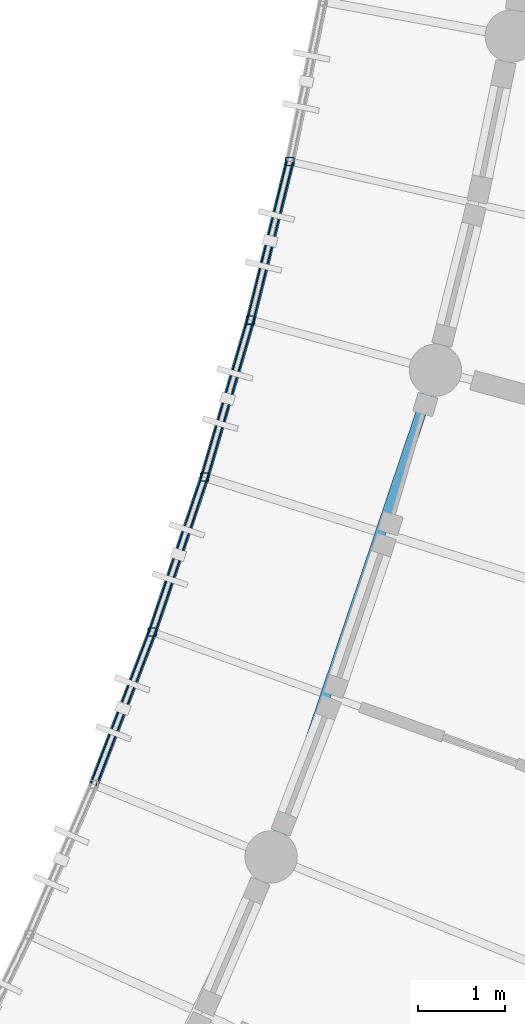
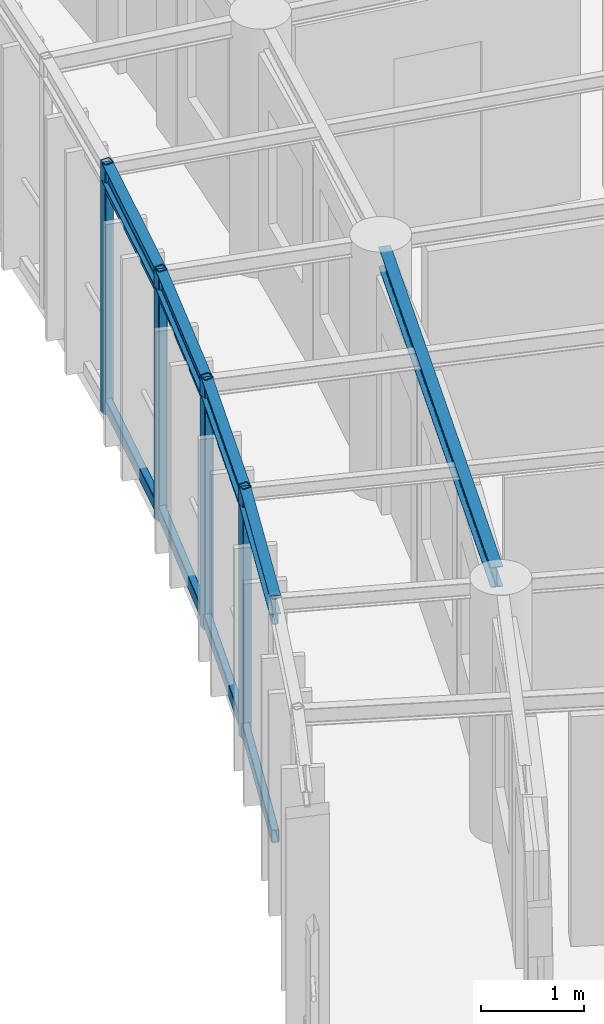
# One storey, part 15 of 101: 12 members, 5 beams.
"""IFC4 building model written with IfcOpenShell, lengths in metres."""

from ifc_helpers import new_model, si_unit, direction, frame, origin, origin_2d, place, context, subcontext, project, spatial, hollow_rectangle, i_section, extrude, material, material_profile, profile_set, type_object, element, save


model = new_model("IFC4")

# Units and contexts
model_context = context("Model", 3, precision=1e-05, world=origin(), true_north=direction((0.0, 1.0)))
body_context = subcontext(model_context, "Body", "Model", "MODEL_VIEW")
ifc_project = project(units=[si_unit("LENGTHUNIT", "METRE"), si_unit("AREAUNIT", "SQUARE_METRE"), si_unit("VOLUMEUNIT", "CUBIC_METRE"), si_unit("PLANEANGLEUNIT", "RADIAN"), si_unit("MASSUNIT", "GRAM", prefix="KILO"), si_unit("POWERUNIT", "WATT"), si_unit("THERMODYNAMICTEMPERATUREUNIT", "KELVIN")], contexts=[model_context])

# Site, building, storey
site_placement = place(None, origin())
site = spatial("IfcSite", under=ifc_project, at=site_placement, CompositionType="ELEMENT")
building_placement = place(site_placement, origin())
building = spatial("IfcBuilding", under=site, at=building_placement, Name="Ruvembo Vaulted Housing Court", CompositionType="ELEMENT")
storey_placement = place(building_placement, frame((0.0, 0.0, 17.300048828125)))
storey = spatial("IfcBuildingStorey", under=building, at=storey_placement, Name="L05", CompositionType="ELEMENT", Elevation=17.300048828125)

# Beams
ifc_material = material(Name="Steel S355J2", Category="steel")
ifc_material_profile_1 = material_profile(ifc_material, i_section(OverallWidth=0.110107421875, OverallDepth=0.219970703125, WebThickness=0.005859375, FlangeThickness=0.00927734375, FilletRadius=0.011962890625, at=origin_2d()), Name="IPE 220")
ifc_profile_set_1 = profile_set([ifc_material_profile_1], Name="Steel S355J2")
beam_type_1 = type_object("IfcBeamType", Name="BM-ST-IPE220", PredefinedType="SPANDREL", material=ifc_profile_set_1)
beam_1_placement = place(storey_placement, frame((44.41259765625, 56.714111328125, 2.822021484375), z_axis=(0.358368836189, 0.933580086146, 0.0), x_axis=(-0.933580086146, 0.358368836189, 0.0)))
element("IfcBeam", 1, at=beam_1_placement, inside=storey, type_object=beam_type_1, Name="Scoop SC1 L05 Balcony Edge Spandrel 9", PredefinedType="SPANDREL", context=body_context, shape_type="SweptSolid", body=[
    extrude(i_section(OverallWidth=0.110107421875, OverallDepth=0.219970703125, WebThickness=0.005859375, FlangeThickness=0.00927734375, FilletRadius=0.011962890625, at=origin_2d()), origin(), (0.0, 0.0, 1.0), 1.876953125),
])
beam_2_placement = place(storey_placement, frame((45.085205078125, 58.46630859375, 2.822021484375), z_axis=(0.319933403304, 0.947440033696, 0.0), x_axis=(-0.947440033696, 0.319933403304, 0.0)))
element("IfcBeam", 2, at=beam_2_placement, inside=storey, type_object=beam_type_1, Name="Scoop SC1 L05 Balcony Edge Spandrel 10", PredefinedType="SPANDREL", context=body_context, shape_type="SweptSolid", body=[
    extrude(i_section(OverallWidth=0.110107421875, OverallDepth=0.219970703125, WebThickness=0.005859375, FlangeThickness=0.00927734375, FilletRadius=0.011962890625, at=origin_2d()), origin(), (0.0, 0.0, 1.0), 1.87646484375),
])
for number, where, z_axis, x_axis, name in (
    (3, (45.685546875, 60.244140625, 2.822021484375), (0.280729242843, 0.959787003565, 0.0), (-0.959787003565, 0.280729242843, 0.0), "Scoop SC1 L05 Balcony Edge Spandrel 11"),
    (4, (46.21240234375, 62.04541015625, 2.822021484375), (0.241066038615, 0.970508714555, 0.0), (-0.970508714555, 0.241066038615, 0.0), "Scoop SC1 L05 Balcony Edge Spandrel 12"),
):
    element("IfcBeam", number, at=place(storey_placement, frame(where, z_axis=z_axis, x_axis=x_axis)), inside=storey, type_object=beam_type_1, Name=name, PredefinedType="SPANDREL", context=body_context, shape_type="SweptSolid", body=[
        extrude(i_section(OverallWidth=0.110107421875, OverallDepth=0.219970703125, WebThickness=0.005859375, FlangeThickness=0.00927734375, FilletRadius=0.011962890625, at=origin_2d()), origin(), (0.0, 0.0, 1.0), 1.876708984375),
    ])
ifc_material_profile_2 = material_profile(ifc_material, i_section(OverallWidth=0.1201171875, OverallDepth=0.239990234375, WebThickness=0.006103515625, FlangeThickness=0.009765625, FilletRadius=0.014892578125, at=origin_2d()), Name="IPE 240")
ifc_profile_set_2 = profile_set([ifc_material_profile_2], Name="Steel S355J2")
beam_type_2 = type_object("IfcBeamType", Name="BM-ST-IPE240", PredefinedType="BEAM", material=ifc_profile_set_2)
beam_3_placement = place(storey_placement, frame((46.5107421875, 56.06396484375, 2.81396484375), z_axis=(0.319809928959, 0.947481719792, 0.0), x_axis=(-0.947481719792, 0.319809928959, 0.0)))
element("IfcBeam", 5, at=beam_3_placement, inside=storey, type_object=beam_type_2, Name="Scoop SC1 L05 Chord Girder F9", PredefinedType="BEAM", context=body_context, shape_type="SweptSolid", body=[
    extrude(i_section(OverallWidth=0.1201171875, OverallDepth=0.239990234375, WebThickness=0.006103515625, FlangeThickness=0.009765625, FilletRadius=0.014892578125, at=origin_2d()), origin(), (0.0, 0.0, 1.0), 5.51708984375),
])

# Members
ifc_material_profile_3 = material_profile(ifc_material, hollow_rectangle(XDim=0.06005859375, YDim=0.1201171875, WallThickness=0.0048828125, InnerFilletRadius=0.0048828125, OuterFilletRadius=0.010009765625, at=origin_2d()), Name="RHS 120x60x5")
ifc_profile_set_3 = profile_set([ifc_material_profile_3], Name="Steel S355J2")
member_type_1 = type_object("IfcMemberType", Name="MEM-CAR-RHS120", PredefinedType="CHORD", material=ifc_profile_set_3)
member_1_placement = place(storey_placement, frame((44.41259765625, 56.714111328125, 2.655029296875), z_axis=(0.358368836189, 0.933580086146, 0.0), x_axis=(-0.933580086146, 0.358368836189, 0.0)))
element("IfcMember", 6, at=member_1_placement, inside=storey, type_object=member_type_1, Name="Scoop SC1 L05 Upper Louvre Carrier Rail 9", PredefinedType="CHORD", context=body_context, shape_type="SweptSolid", body=[
    extrude(hollow_rectangle(XDim=0.06005859375, YDim=0.1201171875, WallThickness=0.0048828125, InnerFilletRadius=0.0048828125, OuterFilletRadius=0.010009765625, at=origin_2d()), origin(), (0.0, 0.0, 1.0), 1.876953125),
])
member_2_placement = place(storey_placement, frame((45.085205078125, 58.46630859375, 2.655029296875), z_axis=(0.319933403304, 0.947440033696, 0.0), x_axis=(-0.947440033696, 0.319933403304, 0.0)))
element("IfcMember", 7, at=member_2_placement, inside=storey, type_object=member_type_1, Name="Scoop SC1 L05 Upper Louvre Carrier Rail 10", PredefinedType="CHORD", context=body_context, shape_type="SweptSolid", body=[
    extrude(hollow_rectangle(XDim=0.06005859375, YDim=0.1201171875, WallThickness=0.0048828125, InnerFilletRadius=0.0048828125, OuterFilletRadius=0.010009765625, at=origin_2d()), origin(), (0.0, 0.0, 1.0), 1.87646484375),
])
for number, where, z_axis, x_axis, name in (
    (8, (45.685546875, 60.244140625, 2.655029296875), (0.280729242843, 0.959787003565, 0.0), (-0.959787003565, 0.280729242843, 0.0), "Scoop SC1 L05 Upper Louvre Carrier Rail 11"),
    (9, (46.21240234375, 62.04541015625, 2.655029296875), (0.241066038615, 0.970508714555, 0.0), (-0.970508714555, 0.241066038615, 0.0), "Scoop SC1 L05 Upper Louvre Carrier Rail 12"),
):
    element("IfcMember", number, at=place(storey_placement, frame(where, z_axis=z_axis, x_axis=x_axis)), inside=storey, type_object=member_type_1, Name=name, PredefinedType="CHORD", context=body_context, shape_type="SweptSolid", body=[
        extrude(hollow_rectangle(XDim=0.06005859375, YDim=0.1201171875, WallThickness=0.0048828125, InnerFilletRadius=0.0048828125, OuterFilletRadius=0.010009765625, at=origin_2d()), origin(), (0.0, 0.0, 1.0), 1.876708984375),
    ])
ifc_material_profile_4 = material_profile(ifc_material, hollow_rectangle(XDim=0.080078125, YDim=0.14990234375, WallThickness=0.00634765625, InnerFilletRadius=0.00634765625, OuterFilletRadius=0.0126953125, at=origin_2d()), Name="RHS 150x80x6.3")
ifc_profile_set_4 = profile_set([ifc_material_profile_4], Name="Steel S355J2")
member_type_2 = type_object("IfcMemberType", Name="MEM-CAR-RHS150", PredefinedType="CHORD", material=ifc_profile_set_4)
member_3_placement = place(storey_placement, frame((44.41259765625, 56.714111328125, 0.094970703125), z_axis=(0.358368836189, 0.933580086146, 0.0), x_axis=(-0.933580086146, 0.358368836189, 0.0)))
element("IfcMember", 10, at=member_3_placement, inside=storey, type_object=member_type_2, Name="Scoop SC1 L05 Lower Louvre Carrier Rail 9", PredefinedType="CHORD", context=body_context, shape_type="SweptSolid", body=[
    extrude(hollow_rectangle(XDim=0.080078125, YDim=0.14990234375, WallThickness=0.00634765625, InnerFilletRadius=0.00634765625, OuterFilletRadius=0.0126953125, at=origin_2d()), origin(), (0.0, 0.0, 1.0), 1.876953125),
])
member_4_placement = place(storey_placement, frame((45.085205078125, 58.46630859375, 0.094970703125), z_axis=(0.319933403304, 0.947440033696, 0.0), x_axis=(-0.947440033696, 0.319933403304, 0.0)))
element("IfcMember", 11, at=member_4_placement, inside=storey, type_object=member_type_2, Name="Scoop SC1 L05 Lower Louvre Carrier Rail 10", PredefinedType="CHORD", context=body_context, shape_type="SweptSolid", body=[
    extrude(hollow_rectangle(XDim=0.080078125, YDim=0.14990234375, WallThickness=0.00634765625, InnerFilletRadius=0.00634765625, OuterFilletRadius=0.0126953125, at=origin_2d()), origin(), (0.0, 0.0, 1.0), 1.87646484375),
])
for number, where, z_axis, x_axis, name in (
    (12, (45.685546875, 60.244140625, 0.094970703125), (0.280729242843, 0.959787003565, 0.0), (-0.959787003565, 0.280729242843, 0.0), "Scoop SC1 L05 Lower Louvre Carrier Rail 11"),
    (13, (46.21240234375, 62.04541015625, 0.094970703125), (0.241066038615, 0.970508714555, 0.0), (-0.970508714555, 0.241066038615, 0.0), "Scoop SC1 L05 Lower Louvre Carrier Rail 12"),
):
    element("IfcMember", number, at=place(storey_placement, frame(where, z_axis=z_axis, x_axis=x_axis)), inside=storey, type_object=member_type_2, Name=name, PredefinedType="CHORD", context=body_context, shape_type="SweptSolid", body=[
        extrude(hollow_rectangle(XDim=0.080078125, YDim=0.14990234375, WallThickness=0.00634765625, InnerFilletRadius=0.00634765625, OuterFilletRadius=0.0126953125, at=origin_2d()), origin(), (0.0, 0.0, 1.0), 1.876708984375),
    ])
ifc_material_profile_5 = material_profile(ifc_material, hollow_rectangle(XDim=0.10009765625, YDim=0.10009765625, WallThickness=0.00634765625, InnerFilletRadius=0.00634765625, OuterFilletRadius=0.0126953125, at=origin_2d()), Name="SHS 100x100x6.3")
ifc_profile_set_5 = profile_set([ifc_material_profile_5], Name="Steel S355J2")
member_type_3 = type_object("IfcMemberType", Name="MEM-FRM-SHS100", PredefinedType="STRUT", material=ifc_profile_set_5)
for number, where, z_axis, x_axis, name in (
    (14, (45.085205078125, 58.46630859375, -0.01513671875), (0.0, 0.0, 1.0), (1.0, 0.0, 0.0), "Scoop SC1 L05 Louvre Frame Post 10"),
    (15, (45.685546875, 60.244140625, -0.01513671875), (0.0, 0.0, 1.0), (1.0, 0.0, 0.0), "Scoop SC1 L05 Louvre Frame Post 11"),
    (16, (46.21240234375, 62.04541015625, -0.01513671875), (0.0, 0.0, 1.0), (1.0, 0.0, 0.0), "Scoop SC1 L05 Louvre Frame Post 12"),
    (17, (46.664794921875, 63.86669921875, -0.01513671875), (0.0, 0.0, 1.0), (1.0, 0.0, 0.0), "Scoop SC1 L05 Louvre Frame Post 13"),
):
    element("IfcMember", number, at=place(storey_placement, frame(where, z_axis=z_axis, x_axis=x_axis)), inside=storey, type_object=member_type_3, Name=name, PredefinedType="STRUT", context=body_context, shape_type="SweptSolid", body=[
        extrude(hollow_rectangle(XDim=0.10009765625, YDim=0.10009765625, WallThickness=0.00634765625, InnerFilletRadius=0.00634765625, OuterFilletRadius=0.0126953125, at=origin_2d()), origin(), (0.0, 0.0, 1.0), 2.953125),
    ])

save(model, "model.ifc")
